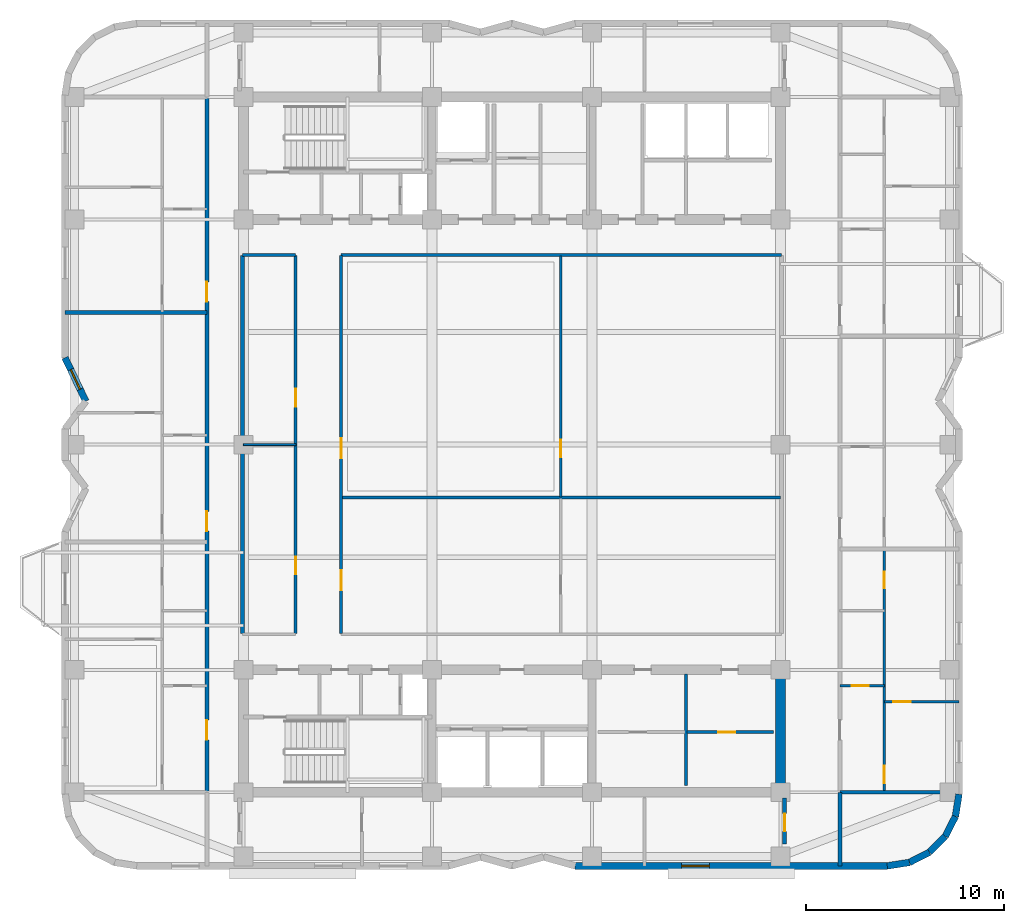
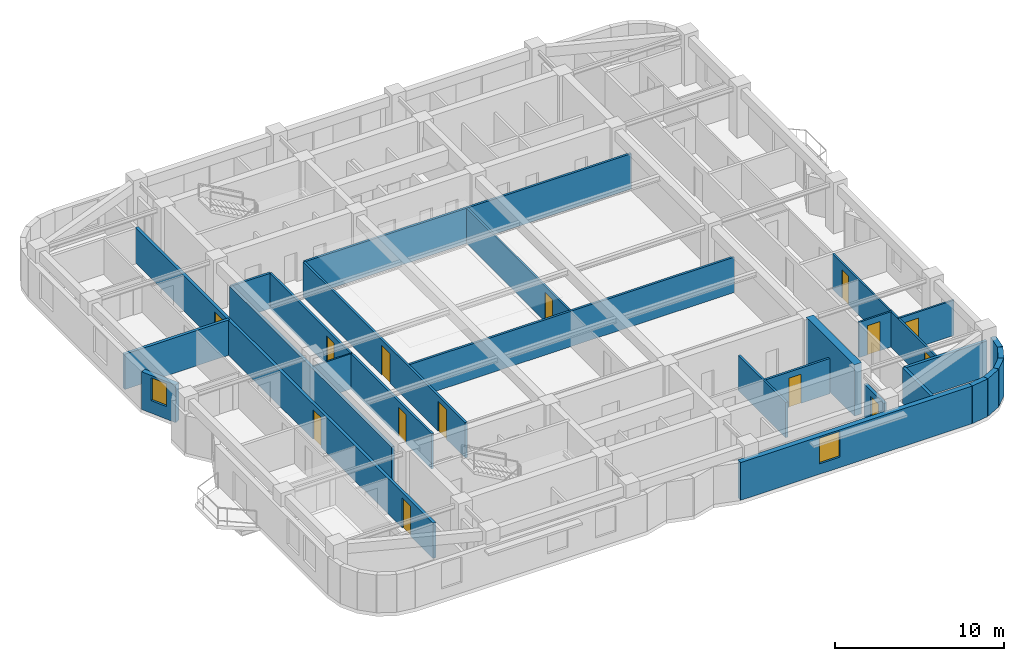
# One storey, part 4 of 10: 26 walls, 14 doors, 2 windows, 16 openings.
"""IFC4 building model written with IfcOpenShell, lengths in metres."""

from ifc_helpers import new_model, si_unit, direction, frame, frame_2d, origin, place, context, subcontext, project, spatial, rectangle, extrude, material, layer, layer_set, type_object, element, fill, save


model = new_model("IFC4")

# Units and contexts
model_context = context("Model", 3, precision=1e-05, world=origin(), true_north=direction((0.0, 1.0)))
body_context = subcontext(model_context, "Body", "Model", "MODEL_VIEW")
ifc_project = project(units=[si_unit("LENGTHUNIT", "METRE"), si_unit("AREAUNIT", "SQUARE_METRE"), si_unit("VOLUMEUNIT", "CUBIC_METRE"), si_unit("PLANEANGLEUNIT", "RADIAN"), si_unit("MASSUNIT", "GRAM", prefix="KILO")], contexts=[model_context])

# Site, building, storey
site_placement = place(None, origin())
site = spatial("IfcSite", under=ifc_project, at=site_placement, CompositionType="ELEMENT")
building_placement = place(site_placement, origin())
building = spatial("IfcBuilding", under=site, at=building_placement, Name="Svetorya Sky Lyceum", CompositionType="ELEMENT")
storey_placement = place(building_placement, frame((0.0, 0.0, 188.5)))
storey = spatial("IfcBuildingStorey", under=building, at=storey_placement, Name="L47", CompositionType="ELEMENT", Elevation=188.5)

# Wall
ifc_material_1 = material(Name="Concrete C50/60", Category="concrete")
ifc_layer_1 = layer(ifc_material_1, 0.5)
ifc_layer_set_1 = layer_set([ifc_layer_1], Name="Concrete C50/60")
wall_type_1 = type_object("IfcWallType", Name="WL-CORE-500", PredefinedType="SHEAR", material=ifc_layer_set_1)
wall_1_placement = place(storey_placement, frame((52.800048828125, 10.85009765625, 0.0), z_axis=(0.0, 0.0, 1.0), x_axis=(0.0, 1.0, 0.0)))
element("IfcWall", 1, at=wall_1_placement, inside=storey, type_object=wall_type_1, Name="L47 SC East Core Shear Wall", PredefinedType="SHEAR", context=body_context, shape_type="SweptSolid", body=[
    extrude(rectangle(XDim=5.699951171875, YDim=0.5, at=frame_2d((2.85009765625, 0.0))), origin(), (0.0, 0.0, 1.0), 3.699951171875),
])

# Wall, opening, window
ifc_material_2 = material(Name="Putilovo limestone rainscreen on autoclaved cellular masonry", Category="masonry")
ifc_layer_2 = layer(ifc_material_2, 0.340087890625)
ifc_layer_set_2 = layer_set([ifc_layer_2], Name="Putilovo limestone rainscreen on autoclaved cellular masonry")
wall_type_2 = type_object("IfcWallType", Name="WL-EXT-340", PredefinedType="SOLIDWALL", material=ifc_layer_set_2)
wall_2_placement = place(storey_placement, frame((42.39990234375, 6.8701171875, 0.0), z_axis=(0.0, 0.0, 1.0), x_axis=(1.0, 0.0, 0.0)))
wall_2 = element("IfcWall", 2, at=wall_2_placement, inside=storey, type_object=wall_type_2, Name="L47 Limestone Exterior Wall 11M", PredefinedType="SOLIDWALL", context=body_context, shape_type="SweptSolid", body=[
    extrude(rectangle(XDim=15.800048828125, YDim=0.340087890625, at=frame_2d((7.89990234375, 0.0))), origin(), (0.0, 0.0, 1.0), 2.719970703125),
])
opening_1_placement = place(wall_2_placement, frame((5.387451171875, 0.0, 0.75)))
opening_1 = element("IfcOpeningElement", 3, at=opening_1_placement, cuts=wall_2, Name="Opening W-R2", PredefinedType="OPENING", context=body_context, shape_type="SweptSolid", body=[
    extrude(rectangle(XDim=1.39990234375, YDim=1.85009765625, at=frame_2d((0.699951171875, 0.925048828125))), frame((0.0, 0.179931640625, 0.0), z_axis=(0.0, -1.0, 0.0), x_axis=(1.0, 0.0, 0.0)), (0.0, 0.0, 1.0), 0.360107421875),
])
ifc_material_3 = material(Name="Thermally broken aluminium frame with triple low-E glazing", Category="aluminium")
window_type_1 = type_object("IfcWindowType", Name="WN-RES-140", PartitioningType="SINGLE_PANEL", PredefinedType="WINDOW", material=ifc_material_3)
window_1_placement = place(opening_1_placement, origin())
window_1 = element("IfcWindow", 4, at=window_1_placement, inside=storey, type_object=window_type_1, Name="L47 Facade Window W-R2.11M.1", OverallHeight=1.85009765625, OverallWidth=1.39990234375, PartitioningType="SINGLE_PANEL", PredefinedType="WINDOW", context=body_context, shape_type="SweptSolid", body=[
    extrude(rectangle(XDim=1.39990234375, YDim=1.85009765625, at=frame_2d((0.699951171875, 0.925048828125))), frame((0.0, 0.030029296875, 0.0), z_axis=(0.0, -1.0, 0.0), x_axis=(1.0, 0.0, 0.0)), (0.0, 0.0, 1.0), 0.06005859375),
])
fill(opening_1, window_1)

# Walls
for number, where, z_axis, x_axis, name in (
    (5, (58.199951171875, 6.8701171875, 0.0), (0.0, 0.0, 1.0), (0.987714116584, 0.156271634985, 0.0), "L47 Limestone Exterior Wall 12M"),
    (6, (59.32177734375, 7.047607421875, 0.0), (0.0, 0.0, 1.0), (0.891005044957, 0.453993402883, 0.0), "L47 Limestone Exterior Wall 13M"),
):
    element("IfcWall", number, at=place(storey_placement, frame(where, z_axis=z_axis, x_axis=x_axis)), inside=storey, type_object=wall_type_2, Name=name, PredefinedType="SOLIDWALL", context=body_context, shape_type="SweptSolid", body=[
        extrude(rectangle(XDim=1.1357421875, YDim=0.340087890625, at=frame_2d((0.56787109375, 0.0))), origin(), (0.0, 0.0, 1.0), 2.719970703125),
    ])
wall_3_placement = place(storey_placement, frame((60.333740234375, 7.563232421875, 0.0), z_axis=(0.0, 0.0, 1.0), x_axis=(0.707106781187, 0.707106781187, 0.0)))
element("IfcWall", 7, at=wall_3_placement, inside=storey, type_object=wall_type_2, Name="L47 Limestone Exterior Wall 14M", PredefinedType="SOLIDWALL", context=body_context, shape_type="SweptSolid", body=[
    extrude(rectangle(XDim=1.135498046875, YDim=0.340087890625, at=frame_2d((0.56787109375, 0.0))), origin(), (0.0, 0.0, 1.0), 2.719970703125),
])
wall_4_placement = place(storey_placement, frame((61.13671875, 8.3662109375, 0.0), z_axis=(0.0, 0.0, 1.0), x_axis=(0.45390646422, 0.891049337433, 0.0)))
element("IfcWall", 8, at=wall_4_placement, inside=storey, type_object=wall_type_2, Name="L47 Limestone Exterior Wall 15M", PredefinedType="SOLIDWALL", context=body_context, shape_type="SweptSolid", body=[
    extrude(rectangle(XDim=1.135986328125, YDim=0.340087890625, at=frame_2d((0.56787109375, 0.0))), origin(), (0.0, 0.0, 1.0), 2.719970703125),
])
wall_5_placement = place(storey_placement, frame((61.65234375, 9.37841796875, 0.0), z_axis=(0.0, 0.0, 1.0), x_axis=(0.156514556949, 0.987675651954, 0.0)))
element("IfcWall", 9, at=wall_5_placement, inside=storey, type_object=wall_type_2, Name="L47 Limestone Exterior Wall 16M", PredefinedType="SOLIDWALL", context=body_context, shape_type="SweptSolid", body=[
    extrude(rectangle(XDim=1.135498046875, YDim=0.340087890625, at=frame_2d((0.56787109375, 0.0))), origin(), (0.0, 0.0, 1.0), 2.719970703125),
])

# Wall, opening, window
wall_6_placement = place(storey_placement, frame((16.570068359375, 32.60009765625, 0.0), z_axis=(0.0, 0.0, 1.0), x_axis=(0.430714756408, -0.902488115496, 0.0)))
wall_6 = element("IfcWall", 10, at=wall_6_placement, inside=storey, type_object=wall_type_2, Name="L47 Limestone Exterior Wall 41M", PredefinedType="SOLIDWALL", context=body_context, shape_type="SweptSolid", body=[
    extrude(rectangle(XDim=2.43798828125, YDim=0.340087890625, at=frame_2d((1.218994140625, 0.0))), origin(), (0.0, 0.0, 1.0), 2.719970703125),
])
opening_2_placement = place(wall_6_placement, frame((0.6689453125, 0.0, 0.909912109375)))
opening_2 = element("IfcOpeningElement", 11, at=opening_2_placement, cuts=wall_6, Name="Opening W-R3", PredefinedType="OPENING", context=body_context, shape_type="SweptSolid", body=[
    extrude(rectangle(XDim=1.10009765625, YDim=1.64990234375, at=frame_2d((0.550048828125, 0.824951171875))), frame((0.0, 0.179931640625, 0.0), z_axis=(0.0, -1.0, 0.0), x_axis=(1.0, 0.0, 0.0)), (0.0, 0.0, 1.0), 0.360107421875),
])
window_type_2 = type_object("IfcWindowType", Name="WN-RES-110", PartitioningType="SINGLE_PANEL", PredefinedType="WINDOW", material=ifc_material_3)
window_2_placement = place(opening_2_placement, origin())
window_2 = element("IfcWindow", 12, at=window_2_placement, inside=storey, type_object=window_type_2, Name="L47 Facade Window W-R3.41M.1", OverallHeight=1.64990234375, OverallWidth=1.10009765625, PartitioningType="SINGLE_PANEL", PredefinedType="WINDOW", context=body_context, shape_type="SweptSolid", body=[
    extrude(rectangle(XDim=1.10009765625, YDim=1.64990234375, at=frame_2d((0.550048828125, 0.824951171875))), frame((0.0, 0.030029296875, 0.0), z_axis=(0.0, -1.0, 0.0), x_axis=(1.0, 0.0, 0.0)), (0.0, 0.0, 1.0), 0.06005859375),
])
fill(opening_2, window_2)

# Wall
ifc_material_4 = material(Name="Galvanized stud partition with moisture-resistant board", Category="gypsum")
ifc_layer_3 = layer(ifc_material_4, 0.10009765625)
ifc_layer_set_3 = layer_set([ifc_layer_3], Name="Galvanized stud partition with moisture-resistant board")
wall_type_3 = type_object("IfcWallType", Name="WL-PART-100", PredefinedType="PARTITIONING", material=ifc_layer_set_3)
wall_7_placement = place(storey_placement, frame((25.60009765625, 28.199951171875, 0.0), z_axis=(0.0, 0.0, 1.0), x_axis=(1.0, 0.0, 0.0)))
element("IfcWall", 13, at=wall_7_placement, inside=storey, type_object=wall_type_3, Name="L47 Interior Partition OFF-HW", PredefinedType="PARTITIONING", context=body_context, shape_type="SweptSolid", body=[
    extrude(rectangle(XDim=2.659912109375, YDim=0.10009765625, at=frame_2d((1.330078125, 0.0))), origin(), (0.0, 0.0, 1.0), 2.550048828125),
])

# Wall, opening, door
ifc_material_5 = material(Name="Twin-stud galvanized framing with double fireboard", Category="gypsum")
ifc_layer_4 = layer(ifc_material_5, 0.1201171875)
ifc_layer_set_4 = layer_set([ifc_layer_4], Name="Twin-stud galvanized framing with double fireboard")
wall_type_4 = type_object("IfcWallType", Name="WL-PART-120", PredefinedType="PARTITIONING", material=ifc_layer_set_4)
wall_8_placement = place(storey_placement, frame((41.659912109375, 25.560302734375, 0.0), z_axis=(0.0, 0.0, 1.0), x_axis=(0.0, 1.0, 0.0)))
wall_8 = element("IfcWall", 14, at=wall_8_placement, inside=storey, type_object=wall_type_4, Name="L47 Interior Partition OFF-VEM2", PredefinedType="PARTITIONING", context=body_context, shape_type="SweptSolid", body=[
    extrude(rectangle(XDim=12.1796875, YDim=0.1201171875, at=frame_2d((6.08984375, 0.0))), origin(), (0.0, 0.0, 1.0), 2.550048828125),
])
opening_3_placement = place(wall_8_placement, frame((2.0, 0.0, 0.0)))
opening_3 = element("IfcOpeningElement", 15, at=opening_3_placement, cuts=wall_8, Name="Opening D-RM1", PredefinedType="OPENING", context=body_context, shape_type="SweptSolid", body=[
    extrude(rectangle(XDim=0.89990234375, YDim=2.10009765625, at=frame_2d((0.449951171875, 1.050048828125))), frame((0.0, 0.070068359375, 0.0), z_axis=(0.0, -1.0, 0.0), x_axis=(1.0, 0.0, 0.0)), (0.0, 0.0, 1.0), 0.14013671875),
])
ifc_material_6 = material(Name="Lacquered birch veneer internal door")
door_type_1 = type_object("IfcDoorType", Name="DR-INT-900", OperationType="SINGLE_SWING_LEFT", PredefinedType="DOOR", material=ifc_material_6)
door_1_placement = place(opening_3_placement, origin())
door_1 = element("IfcDoor", 16, at=door_1_placement, inside=storey, type_object=door_type_1, Name="L47 East Focus Door", OperationType="SINGLE_SWING_RIGHT", OverallHeight=2.10009765625, OverallWidth=0.89990234375, PredefinedType="DOOR", context=body_context, shape_type="SweptSolid", body=[
    extrude(rectangle(XDim=0.89990234375, YDim=2.10009765625, at=frame_2d((0.449951171875, 1.050048828125))), frame((0.0, 0.02490234375, 0.0), z_axis=(0.0, -1.0, 0.0), x_axis=(1.0, 0.0, 0.0)), (0.0, 0.0, 1.0), 0.050048828125),
])
fill(opening_3, door_1)

wall_9_placement = place(storey_placement, frame((55.800048828125, 16.0, 0.0), z_axis=(0.0, 0.0, 1.0), x_axis=(1.0, 0.0, 0.0)))
wall_9 = element("IfcWall", 17, at=wall_9_placement, inside=storey, type_object=wall_type_4, Name="L47 Interior Partition E1-WH1", PredefinedType="PARTITIONING", context=body_context, shape_type="SweptSolid", body=[
    extrude(rectangle(XDim=2.25, YDim=0.1201171875, at=frame_2d((1.125, 0.0))), origin(), (0.0, 0.0, 1.0), 2.550048828125),
])
opening_4_placement = place(wall_9_placement, frame((0.60009765625, 0.0, 0.0)))
opening_4 = element("IfcOpeningElement", 18, at=opening_4_placement, cuts=wall_9, Name="Opening D-BT1", PredefinedType="OPENING", context=body_context, shape_type="SweptSolid", body=[
    extrude(rectangle(XDim=0.85009765625, YDim=2.10009765625, at=frame_2d((0.425048828125, 1.050048828125))), frame((0.0, 0.070068359375, 0.0), z_axis=(0.0, -1.0, 0.0), x_axis=(1.0, 0.0, 0.0)), (0.0, 0.0, 1.0), 0.14013671875),
])
ifc_material_7 = material(Name="Moisture-resistant laminate bathroom door")
door_type_2 = type_object("IfcDoorType", Name="DR-WET-850", OperationType="SINGLE_SWING_LEFT", PredefinedType="DOOR", material=ifc_material_7)
door_2_placement = place(opening_4_placement, origin())
door_2 = element("IfcDoor", 19, at=door_2_placement, inside=storey, type_object=door_type_2, Name="Apartment E1 Bathroom Door", OperationType="SINGLE_SWING_RIGHT", OverallHeight=2.10009765625, OverallWidth=0.85009765625, PredefinedType="DOOR", context=body_context, shape_type="SweptSolid", body=[
    extrude(rectangle(XDim=0.85009765625, YDim=2.10009765625, at=frame_2d((0.425048828125, 1.050048828125))), frame((0.0, 0.02490234375, 0.0), z_axis=(0.0, -1.0, 0.0), x_axis=(1.0, 0.0, 0.0)), (0.0, 0.0, 1.0), 0.050048828125),
])
fill(opening_4, door_2)

wall_10_placement = place(storey_placement, frame((58.050048828125, 15.179931640625, 0.0), z_axis=(0.0, 0.0, 1.0), x_axis=(1.0, 0.0, 0.0)))
wall_10 = element("IfcWall", 20, at=wall_10_placement, inside=storey, type_object=wall_type_4, Name="L47 Interior Partition E1-WL1", PredefinedType="PARTITIONING", context=body_context, shape_type="SweptSolid", body=[
    extrude(rectangle(XDim=3.780029296875, YDim=0.1201171875, at=frame_2d((1.89013671875, 0.0))), origin(), (0.0, 0.0, 1.0), 2.550048828125),
])
opening_5_placement = place(wall_10_placement, frame((0.449951171875, 0.0, 0.0)))
opening_5 = element("IfcOpeningElement", 21, at=opening_5_placement, cuts=wall_10, Name="Opening D-RM1", PredefinedType="OPENING", context=body_context, shape_type="SweptSolid", body=[
    extrude(rectangle(XDim=0.89990234375, YDim=2.10009765625, at=frame_2d((0.449951171875, 1.050048828125))), frame((0.0, 0.070068359375, 0.0), z_axis=(0.0, -1.0, 0.0), x_axis=(1.0, 0.0, 0.0)), (0.0, 0.0, 1.0), 0.14013671875),
])
door_3_placement = place(opening_5_placement, origin())
door_3 = element("IfcDoor", 22, at=door_3_placement, inside=storey, type_object=door_type_1, Name="Apartment E1 Bedroom 1 Door", OperationType="SINGLE_SWING_RIGHT", OverallHeight=2.10009765625, OverallWidth=0.89990234375, PredefinedType="DOOR", context=body_context, shape_type="SweptSolid", body=[
    extrude(rectangle(XDim=0.89990234375, YDim=2.10009765625, at=frame_2d((0.449951171875, 1.050048828125))), frame((0.0, 0.02490234375, 0.0), z_axis=(0.0, -1.0, 0.0), x_axis=(1.0, 0.0, 0.0)), (0.0, 0.0, 1.0), 0.050048828125),
])
fill(opening_5, door_3)

# Wall, openings, doors
wall_11_placement = place(storey_placement, frame((58.050048828125, 10.639892578125, 0.0), z_axis=(0.0, 0.0, 1.0), x_axis=(0.0, 1.0, 0.0)))
wall_11 = element("IfcWall", 23, at=wall_11_placement, inside=storey, type_object=wall_type_4, Name="L47 Interior Partition E1-WV", PredefinedType="PARTITIONING", context=body_context, shape_type="SweptSolid", body=[
    extrude(rectangle(XDim=12.239990234375, YDim=0.1201171875, at=frame_2d((6.1201171875, 0.0))), origin(), (0.0, 0.0, 1.0), 2.550048828125),
])
opening_6_placement = place(wall_11_placement, frame((0.409912109375, 0.0, 0.0)))
opening_6 = element("IfcOpeningElement", 24, at=opening_6_placement, cuts=wall_11, Name="Opening D-RM1", PredefinedType="OPENING", context=body_context, shape_type="SweptSolid", body=[
    extrude(rectangle(XDim=0.89990234375, YDim=2.10009765625, at=frame_2d((0.449951171875, 1.050048828125))), frame((0.0, 0.070068359375, 0.0), z_axis=(0.0, -1.0, 0.0), x_axis=(1.0, 0.0, 0.0)), (0.0, 0.0, 1.0), 0.14013671875),
])
opening_7_placement = place(wall_11_placement, frame((10.294921875, 0.0, 0.0)))
opening_7 = element("IfcOpeningElement", 25, at=opening_7_placement, cuts=wall_11, Name="Opening D-BT2", PredefinedType="OPENING", context=body_context, shape_type="SweptSolid", body=[
    extrude(rectangle(XDim=0.820068359375, YDim=2.080078125, at=frame_2d((0.41015625, 1.0400390625))), frame((0.0, 0.070068359375, 0.0), z_axis=(0.0, -1.0, 0.0), x_axis=(1.0, 0.0, 0.0)), (0.0, 0.0, 1.0), 0.14013671875),
])
door_4_placement = place(opening_6_placement, origin())
door_4 = element("IfcDoor", 26, at=door_4_placement, inside=storey, type_object=door_type_1, Name="Apartment E1 Living Door", OperationType="SINGLE_SWING_LEFT", OverallHeight=2.10009765625, OverallWidth=0.89990234375, PredefinedType="DOOR", context=body_context, shape_type="SweptSolid", body=[
    extrude(rectangle(XDim=0.89990234375, YDim=2.10009765625, at=frame_2d((0.449951171875, 1.050048828125))), frame((0.0, 0.02490234375, 0.0), z_axis=(0.0, -1.0, 0.0), x_axis=(1.0, 0.0, 0.0)), (0.0, 0.0, 1.0), 0.050048828125),
])
fill(opening_6, door_4)
ifc_material_8 = material(Name="Compact moisture-resistant laminate closet door")
door_type_3 = type_object("IfcDoorType", Name="DR-WET-820", OperationType="SINGLE_SWING_LEFT", PredefinedType="DOOR", material=ifc_material_8)
door_5_placement = place(opening_7_placement, origin())
door_5 = element("IfcDoor", 27, at=door_5_placement, inside=storey, type_object=door_type_3, Name="Apartment E1 Study Door", OperationType="SINGLE_SWING_RIGHT", OverallHeight=2.080078125, OverallWidth=0.820068359375, PredefinedType="DOOR", context=body_context, shape_type="SweptSolid", body=[
    extrude(rectangle(XDim=0.820068359375, YDim=2.080078125, at=frame_2d((0.41015625, 1.0400390625))), frame((0.0, 0.02490234375, 0.0), z_axis=(0.0, -1.0, 0.0), x_axis=(1.0, 0.0, 0.0)), (0.0, 0.0, 1.0), 0.050048828125),
])
fill(opening_7, door_5)

# Wall
ifc_material_9 = material(Name="Autoclaved cellular masonry blockwork with acoustic render", Category="masonry")
ifc_layer_5 = layer(ifc_material_9, 0.14990234375)
ifc_layer_set_5 = layer_set([ifc_layer_5], Name="Autoclaved cellular masonry blockwork with acoustic render")
wall_type_5 = type_object("IfcWallType", Name="WL-PART-150", PredefinedType="PARTITIONING", material=ifc_layer_set_5)
wall_12_placement = place(storey_placement, frame((48.0, 10.949951171875, 0.0), z_axis=(0.0, 0.0, 1.0), x_axis=(0.0, 1.0, 0.0)))
element("IfcWall", 28, at=wall_12_placement, inside=storey, type_object=wall_type_5, Name="L47 Interior Partition SC-LV7-V", PredefinedType="PARTITIONING", context=body_context, shape_type="SweptSolid", body=[
    extrude(rectangle(XDim=5.630126953125, YDim=0.14990234375, at=frame_2d((2.81494140625, 0.0))), origin(), (0.0, 0.0, 1.0), 2.550048828125),
])

# Wall, opening, door
wall_13_placement = place(storey_placement, frame((48.050048828125, 13.64990234375, 0.0), z_axis=(0.0, 0.0, 1.0), x_axis=(1.0, 0.0, 0.0)))
wall_13 = element("IfcWall", 29, at=wall_13_placement, inside=storey, type_object=wall_type_5, Name="L47 Interior Partition SC-LV7-HE", PredefinedType="PARTITIONING", context=body_context, shape_type="SweptSolid", body=[
    extrude(rectangle(XDim=4.39990234375, YDim=0.14990234375, at=frame_2d((2.199951171875, 0.0))), origin(), (0.0, 0.0, 1.0), 2.550048828125),
])
opening_8_placement = place(wall_13_placement, frame((1.60009765625, 0.0, 0.0)))
opening_8 = element("IfcOpeningElement", 30, at=opening_8_placement, cuts=wall_13, Name="Opening D-CWC1", PredefinedType="OPENING", context=body_context, shape_type="SweptSolid", body=[
    extrude(rectangle(XDim=0.85009765625, YDim=2.10009765625, at=frame_2d((0.425048828125, 1.050048828125))), frame((0.0, 0.0849609375, 0.0), z_axis=(0.0, -1.0, 0.0), x_axis=(1.0, 0.0, 0.0)), (0.0, 0.0, 1.0), 0.169921875),
])
ifc_material_10 = material(Name="Fire-rated galvanized steel core service closet door", Category="steel")
door_type_4 = type_object("IfcDoorType", Name="DR-CWET-850", OperationType="SINGLE_SWING_LEFT", PredefinedType="DOOR", material=ifc_material_10)
door_6_placement = place(opening_8_placement, origin())
door_6 = element("IfcDoor", 31, at=door_6_placement, inside=storey, type_object=door_type_4, Name="L47 South Server Closet Door", OperationType="SINGLE_SWING_RIGHT", OverallHeight=2.10009765625, OverallWidth=0.85009765625, PredefinedType="DOOR", context=body_context, shape_type="SweptSolid", body=[
    extrude(rectangle(XDim=0.85009765625, YDim=2.10009765625, at=frame_2d((0.425048828125, 1.050048828125))), frame((0.0, 0.02490234375, 0.0), z_axis=(0.0, -1.0, 0.0), x_axis=(1.0, 0.0, 0.0)), (0.0, 0.0, 1.0), 0.050048828125),
])
fill(opening_8, door_6)

# Walls
wall_14_placement = place(storey_placement, frame((25.550048828125, 37.800048828125, 0.0), z_axis=(0.0, 0.0, 1.0), x_axis=(1.0, 0.0, 0.0)))
element("IfcWall", 32, at=wall_14_placement, inside=storey, type_object=wall_type_5, Name="L47 Interior Partition OFF-CN-W", PredefinedType="PARTITIONING", context=body_context, shape_type="SweptSolid", body=[
    extrude(rectangle(XDim=2.699951171875, YDim=0.14990234375, at=frame_2d((1.35009765625, 0.0))), origin(), (0.0, 0.0, 1.0), 2.550048828125),
])
wall_15_placement = place(storey_placement, frame((30.550048828125, 37.800048828125, 0.0), z_axis=(0.0, 0.0, 1.0), x_axis=(1.0, 0.0, 0.0)))
element("IfcWall", 33, at=wall_15_placement, inside=storey, type_object=wall_type_5, Name="L47 Interior Partition OFF-CN-E", PredefinedType="PARTITIONING", context=body_context, shape_type="SweptSolid", body=[
    extrude(rectangle(XDim=22.300048828125, YDim=0.14990234375, at=frame_2d((11.14990234375, 0.0))), origin(), (0.0, 0.0, 1.0), 2.550048828125),
])
wall_16_placement = place(storey_placement, frame((30.580078125, 25.5205078125, 0.0), z_axis=(0.0, 0.0, 1.0), x_axis=(1.0, 0.0, 0.0)))
element("IfcWall", 34, at=wall_16_placement, inside=storey, type_object=wall_type_5, Name="L47 Interior Partition OFF-HE", PredefinedType="PARTITIONING", context=body_context, shape_type="SweptSolid", body=[
    extrude(rectangle(XDim=22.219970703125, YDim=0.14990234375, at=frame_2d((11.10986328125, 0.0))), origin(), (0.0, 0.0, 1.0), 2.550048828125),
])

# Wall, openings, doors
wall_17_placement = place(storey_placement, frame((28.25, 18.6298828125, 0.0), z_axis=(0.0, 0.0, 1.0), x_axis=(0.0, 1.0, 0.0)))
wall_17 = element("IfcWall", 35, at=wall_17_placement, inside=storey, type_object=wall_type_5, Name="L47 Interior Partition OFF-VW", PredefinedType="PARTITIONING", context=body_context, shape_type="SweptSolid", body=[
    extrude(rectangle(XDim=19.14013671875, YDim=0.14990234375, at=frame_2d((9.570068359375, 0.0))), origin(), (0.0, 0.0, 1.0), 2.550048828125),
])
opening_9_placement = place(wall_17_placement, frame((3.0, 0.0, 0.0)))
opening_9 = element("IfcOpeningElement", 36, at=opening_9_placement, cuts=wall_17, Name="Opening D-RM1", PredefinedType="OPENING", context=body_context, shape_type="SweptSolid", body=[
    extrude(rectangle(XDim=0.89990234375, YDim=2.10009765625, at=frame_2d((0.449951171875, 1.050048828125))), frame((0.0, 0.0849609375, 0.0), z_axis=(0.0, -1.0, 0.0), x_axis=(1.0, 0.0, 0.0)), (0.0, 0.0, 1.0), 0.169921875),
])
opening_10_placement = place(wall_17_placement, frame((11.5, 0.0, 0.0)))
opening_10 = element("IfcOpeningElement", 37, at=opening_10_placement, cuts=wall_17, Name="Opening D-RM1", PredefinedType="OPENING", context=body_context, shape_type="SweptSolid", body=[
    extrude(rectangle(XDim=0.89990234375, YDim=2.10009765625, at=frame_2d((0.449951171875, 1.050048828125))), frame((0.0, 0.0849609375, 0.0), z_axis=(0.0, -1.0, 0.0), x_axis=(1.0, 0.0, 0.0)), (0.0, 0.0, 1.0), 0.169921875),
])
door_7_placement = place(opening_9_placement, origin())
door_7 = element("IfcDoor", 38, at=door_7_placement, inside=storey, type_object=door_type_1, Name="L47 Study Door", OperationType="SINGLE_SWING_LEFT", OverallHeight=2.10009765625, OverallWidth=0.89990234375, PredefinedType="DOOR", context=body_context, shape_type="SweptSolid", body=[
    extrude(rectangle(XDim=0.89990234375, YDim=2.10009765625, at=frame_2d((0.449951171875, 1.050048828125))), frame((0.0, 0.02490234375, 0.0), z_axis=(0.0, -1.0, 0.0), x_axis=(1.0, 0.0, 0.0)), (0.0, 0.0, 1.0), 0.050048828125),
])
fill(opening_9, door_7)
door_8_placement = place(opening_10_placement, origin())
door_8 = element("IfcDoor", 39, at=door_8_placement, inside=storey, type_object=door_type_1, Name="L47 Focus Door", OperationType="SINGLE_SWING_RIGHT", OverallHeight=2.10009765625, OverallWidth=0.89990234375, PredefinedType="DOOR", context=body_context, shape_type="SweptSolid", body=[
    extrude(rectangle(XDim=0.89990234375, YDim=2.10009765625, at=frame_2d((0.449951171875, 1.050048828125))), frame((0.0, 0.02490234375, 0.0), z_axis=(0.0, -1.0, 0.0), x_axis=(1.0, 0.0, 0.0)), (0.0, 0.0, 1.0), 0.050048828125),
])
fill(opening_10, door_8)

wall_18_placement = place(storey_placement, frame((30.550048828125, 18.6298828125, 0.0), z_axis=(0.0, 0.0, 1.0), x_axis=(0.0, 1.0, 0.0)))
wall_18 = element("IfcWall", 40, at=wall_18_placement, inside=storey, type_object=wall_type_5, Name="L47 Interior Partition OFF-VE", PredefinedType="PARTITIONING", context=body_context, shape_type="SweptSolid", body=[
    extrude(rectangle(XDim=19.14013671875, YDim=0.14990234375, at=frame_2d((9.570068359375, 0.0))), origin(), (0.0, 0.0, 1.0), 2.550048828125),
])
opening_11_placement = place(wall_18_placement, frame((2.199951171875, 0.0, 0.0)))
opening_11 = element("IfcOpeningElement", 41, at=opening_11_placement, cuts=wall_18, Name="Opening D-RM2", PredefinedType="OPENING", context=body_context, shape_type="SweptSolid", body=[
    extrude(rectangle(XDim=1.0, YDim=2.14990234375, at=frame_2d((0.5, 1.074951171875))), frame((0.0, 0.0849609375, 0.0), z_axis=(0.0, -1.0, 0.0), x_axis=(1.0, 0.0, 0.0)), (0.0, 0.0, 1.0), 0.169921875),
])
opening_12_placement = place(wall_18_placement, frame((8.890380859375, 0.0, 0.0)))
opening_12 = element("IfcOpeningElement", 42, at=opening_12_placement, cuts=wall_18, Name="Opening D-RM2", PredefinedType="OPENING", context=body_context, shape_type="SweptSolid", body=[
    extrude(rectangle(XDim=1.0, YDim=2.14990234375, at=frame_2d((0.5, 1.074951171875))), frame((0.0, 0.0849609375, 0.0), z_axis=(0.0, -1.0, 0.0), x_axis=(1.0, 0.0, 0.0)), (0.0, 0.0, 1.0), 0.169921875),
])
ifc_material_11 = material(Name="Solid-core oak acoustic room door")
door_type_5 = type_object("IfcDoorType", Name="DR-INT-1000", OperationType="SINGLE_SWING_LEFT", PredefinedType="DOOR", material=ifc_material_11)
door_9_placement = place(opening_11_placement, origin())
door_9 = element("IfcDoor", 43, at=door_9_placement, inside=storey, type_object=door_type_5, Name="L47 Meeting Door", OperationType="SINGLE_SWING_RIGHT", OverallHeight=2.14990234375, OverallWidth=1.0, PredefinedType="DOOR", context=body_context, shape_type="SweptSolid", body=[
    extrude(rectangle(XDim=1.0, YDim=2.14990234375, at=frame_2d((0.5, 1.074951171875))), frame((0.0, 0.02490234375, 0.0), z_axis=(0.0, -1.0, 0.0), x_axis=(1.0, 0.0, 0.0)), (0.0, 0.0, 1.0), 0.050048828125),
])
fill(opening_11, door_9)
door_10_placement = place(opening_12_placement, origin())
door_10 = element("IfcDoor", 44, at=door_10_placement, inside=storey, type_object=door_type_5, Name="L47 North Room Door", OperationType="SINGLE_SWING_LEFT", OverallHeight=2.14990234375, OverallWidth=1.0, PredefinedType="DOOR", context=body_context, shape_type="SweptSolid", body=[
    extrude(rectangle(XDim=1.0, YDim=2.14990234375, at=frame_2d((0.5, 1.074951171875))), frame((0.0, 0.02490234375, 0.0), z_axis=(0.0, -1.0, 0.0), x_axis=(1.0, 0.0, 0.0)), (0.0, 0.0, 1.0), 0.050048828125),
])
fill(opening_12, door_10)

# Walls
ifc_material_12 = material(Name="Autoclaved cellular masonry blockwork with gypsum plaster", Category="masonry")
ifc_layer_6 = layer(ifc_material_12, 0.199951171875)
ifc_layer_set_6 = layer_set([ifc_layer_6], Name="Autoclaved cellular masonry blockwork with gypsum plaster")
wall_type_6 = type_object("IfcWallType", Name="WL-PART-200", PredefinedType="PARTITIONING", material=ifc_layer_set_6)
wall_19_placement = place(storey_placement, frame((25.550048828125, 18.6298828125, 0.0), z_axis=(0.0, 0.0, 1.0), x_axis=(0.0, 1.0, 0.0)))
element("IfcWall", 45, at=wall_19_placement, inside=storey, type_object=wall_type_6, Name="L47 Interior Partition W-CEN-SEP", PredefinedType="PARTITIONING", context=body_context, shape_type="SweptSolid", body=[
    extrude(rectangle(XDim=19.14013671875, YDim=0.199951171875, at=frame_2d((9.570068359375, 0.0))), origin(), (0.0, 0.0, 1.0), 2.550048828125),
])
wall_20_placement = place(storey_placement, frame((16.570068359375, 34.887939453125, 0.0), z_axis=(0.0, 0.0, 1.0), x_axis=(1.0, 0.0, 0.0)))
element("IfcWall", 46, at=wall_20_placement, inside=storey, type_object=wall_type_6, Name="L47 Interior Partition W-PARTY-2", PredefinedType="PARTITIONING", context=body_context, shape_type="SweptSolid", body=[
    extrude(rectangle(XDim=7.179931640625, YDim=0.199951171875, at=frame_2d((3.58984375, 0.0))), origin(), (0.0, 0.0, 1.0), 2.550048828125),
])

# Wall, openings, doors
wall_21_placement = place(storey_placement, frame((23.75, 10.60009765625, 0.0), z_axis=(0.0, 0.0, 1.0), x_axis=(0.0, 1.0, 0.0)))
wall_21 = element("IfcWall", 47, at=wall_21_placement, inside=storey, type_object=wall_type_6, Name="L47 Interior Partition W-CORRW", PredefinedType="PARTITIONING", context=body_context, shape_type="SweptSolid", body=[
    extrude(rectangle(XDim=35.199951171875, YDim=0.199951171875, at=frame_2d((17.60009765625, 0.0))), origin(), (0.0, 0.0, 1.0), 2.550048828125),
])
opening_13_placement = place(wall_21_placement, frame((2.64990234375, 0.0, 0.0)))
opening_13 = element("IfcOpeningElement", 48, at=opening_13_placement, cuts=wall_21, Name="Opening D-APT1", PredefinedType="OPENING", context=body_context, shape_type="SweptSolid", body=[
    extrude(rectangle(XDim=1.0, YDim=2.14990234375, at=frame_2d((0.5, 1.074951171875))), frame((0.0, 0.10986328125, 0.0), z_axis=(0.0, -1.0, 0.0), x_axis=(1.0, 0.0, 0.0)), (0.0, 0.0, 1.0), 0.219970703125),
])
opening_14_placement = place(wall_21_placement, frame((13.221923828125, 0.0, 0.0)))
opening_14 = element("IfcOpeningElement", 49, at=opening_14_placement, cuts=wall_21, Name="Opening D-APT1", PredefinedType="OPENING", context=body_context, shape_type="SweptSolid", body=[
    extrude(rectangle(XDim=1.0, YDim=2.14990234375, at=frame_2d((0.5, 1.074951171875))), frame((0.0, 0.10986328125, 0.0), z_axis=(0.0, -1.0, 0.0), x_axis=(1.0, 0.0, 0.0)), (0.0, 0.0, 1.0), 0.219970703125),
])
opening_15_placement = place(wall_21_placement, frame((24.837890625, 0.0, 0.0)))
opening_15 = element("IfcOpeningElement", 50, at=opening_15_placement, cuts=wall_21, Name="Opening D-APT1", PredefinedType="OPENING", context=body_context, shape_type="SweptSolid", body=[
    extrude(rectangle(XDim=1.0, YDim=2.14990234375, at=frame_2d((0.5, 1.074951171875))), frame((0.0, 0.10986328125, 0.0), z_axis=(0.0, -1.0, 0.0), x_axis=(1.0, 0.0, 0.0)), (0.0, 0.0, 1.0), 0.219970703125),
])
ifc_material_13 = material(Name="Insulated oak-veneered apartment entrance door")
door_type_6 = type_object("IfcDoorType", Name="DR-APT-1000", OperationType="SINGLE_SWING_LEFT", PredefinedType="DOOR", material=ifc_material_13)
door_11_placement = place(opening_13_placement, origin())
door_11 = element("IfcDoor", 51, at=door_11_placement, inside=storey, type_object=door_type_6, Name="L47 Apartment W1 Entrance Door", OperationType="SINGLE_SWING_LEFT", OverallHeight=2.14990234375, OverallWidth=1.0, PredefinedType="DOOR", context=body_context, shape_type="SweptSolid", body=[
    extrude(rectangle(XDim=1.0, YDim=2.14990234375, at=frame_2d((0.5, 1.074951171875))), frame((0.0, 0.02490234375, 0.0), z_axis=(0.0, -1.0, 0.0), x_axis=(1.0, 0.0, 0.0)), (0.0, 0.0, 1.0), 0.050048828125),
])
fill(opening_13, door_11)
door_12_placement = place(opening_14_placement, origin())
door_12 = element("IfcDoor", 52, at=door_12_placement, inside=storey, type_object=door_type_6, Name="L47 Apartment W2 Entrance Door", OperationType="SINGLE_SWING_RIGHT", OverallHeight=2.14990234375, OverallWidth=1.0, PredefinedType="DOOR", context=body_context, shape_type="SweptSolid", body=[
    extrude(rectangle(XDim=1.0, YDim=2.14990234375, at=frame_2d((0.5, 1.074951171875))), frame((0.0, 0.02490234375, 0.0), z_axis=(0.0, -1.0, 0.0), x_axis=(1.0, 0.0, 0.0)), (0.0, 0.0, 1.0), 0.050048828125),
])
fill(opening_14, door_12)
door_13_placement = place(opening_15_placement, origin())
door_13 = element("IfcDoor", 53, at=door_13_placement, inside=storey, type_object=door_type_6, Name="L47 Apartment W3 Entrance Door", OperationType="SINGLE_SWING_LEFT", OverallHeight=2.14990234375, OverallWidth=1.0, PredefinedType="DOOR", context=body_context, shape_type="SweptSolid", body=[
    extrude(rectangle(XDim=1.0, YDim=2.14990234375, at=frame_2d((0.5, 1.074951171875))), frame((0.0, 0.02490234375, 0.0), z_axis=(0.0, -1.0, 0.0), x_axis=(1.0, 0.0, 0.0)), (0.0, 0.0, 1.0), 0.050048828125),
])
fill(opening_15, door_13)

# Walls
wall_22_placement = place(storey_placement, frame((55.800048828125, 10.60009765625, 0.0), z_axis=(0.0, 0.0, 1.0), x_axis=(1.0, 0.0, 0.0)))
element("IfcWall", 54, at=wall_22_placement, inside=storey, type_object=wall_type_6, Name="L47 Interior Partition E-CAP-S", PredefinedType="PARTITIONING", context=body_context, shape_type="SweptSolid", body=[
    extrude(rectangle(XDim=5.60986328125, YDim=0.199951171875, at=frame_2d((2.804931640625, 0.0))), origin(), (0.0, 0.0, 1.0), 2.550048828125),
])
wall_23_placement = place(storey_placement, frame((55.800048828125, 6.8701171875, 0.0), z_axis=(0.0, 0.0, 1.0), x_axis=(0.0, 1.0, 0.0)))
element("IfcWall", 55, at=wall_23_placement, inside=storey, type_object=wall_type_6, Name="L47 Interior Partition EC-SE-END", PredefinedType="PARTITIONING", context=body_context, shape_type="SweptSolid", body=[
    extrude(rectangle(XDim=3.72998046875, YDim=0.199951171875, at=frame_2d((1.864990234375, 0.0))), origin(), (0.0, 0.0, 1.0), 2.550048828125),
])

# Wall, opening, door
wall_24_placement = place(storey_placement, frame((53.0, 7.969970703125, 0.0), z_axis=(0.0, 0.0, 1.0), x_axis=(0.0, 1.0, 0.0)))
wall_24 = element("IfcWall", 56, at=wall_24_placement, inside=storey, type_object=wall_type_6, Name="L47 Interior Partition S-EE", PredefinedType="PARTITIONING", context=body_context, shape_type="SweptSolid", body=[
    extrude(rectangle(XDim=2.330078125, YDim=0.199951171875, at=frame_2d((1.1650390625, 0.0))), origin(), (0.0, 0.0, 1.0), 2.550048828125),
])
opening_16_placement = place(wall_24_placement, frame((0.64990234375, 0.0, 0.0)))
opening_16 = element("IfcOpeningElement", 57, at=opening_16_placement, cuts=wall_24, Name="Opening D-RM1", PredefinedType="OPENING", context=body_context, shape_type="SweptSolid", body=[
    extrude(rectangle(XDim=0.89990234375, YDim=2.10009765625, at=frame_2d((0.449951171875, 1.050048828125))), frame((0.0, 0.10986328125, 0.0), z_axis=(0.0, -1.0, 0.0), x_axis=(1.0, 0.0, 0.0)), (0.0, 0.0, 1.0), 0.219970703125),
])
door_14_placement = place(opening_16_placement, origin())
door_14 = element("IfcDoor", 58, at=door_14_placement, inside=storey, type_object=door_type_1, Name="L47 South Focus Door", OperationType="SINGLE_SWING_RIGHT", OverallHeight=2.10009765625, OverallWidth=0.89990234375, PredefinedType="DOOR", context=body_context, shape_type="SweptSolid", body=[
    extrude(rectangle(XDim=0.89990234375, YDim=2.10009765625, at=frame_2d((0.449951171875, 1.050048828125))), frame((0.0, 0.02490234375, 0.0), z_axis=(0.0, -1.0, 0.0), x_axis=(1.0, 0.0, 0.0)), (0.0, 0.0, 1.0), 0.050048828125),
])
fill(opening_16, door_14)

save(model, "model.ifc")
